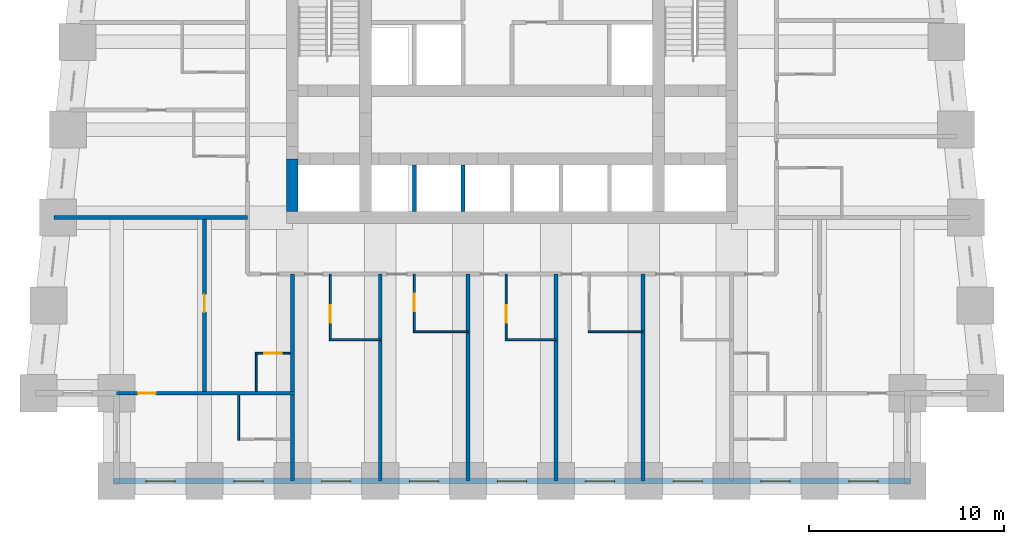
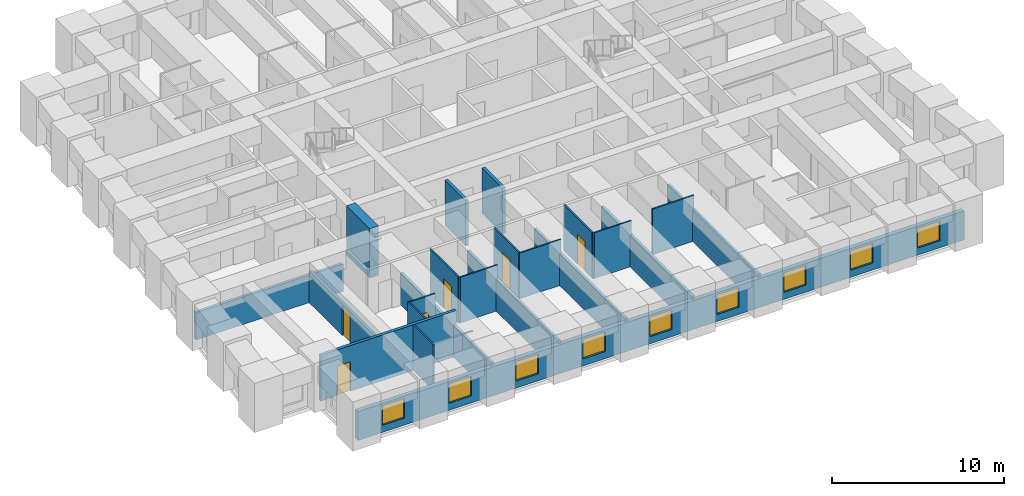
# One storey, part 2 of 8: 22 walls, 9 windows, 6 doors, 15 openings.
"""IFC4 building model written with IfcOpenShell, lengths in metres."""

from ifc_helpers import new_model, si_unit, direction, frame, frame_2d, origin, place, context, subcontext, project, spatial, rectangle, extrude, material, layer, layer_set, type_object, element, fill, save


model = new_model("IFC4")

# Units and contexts
model_context = context("Model", 3, precision=1e-05, world=origin(), true_north=direction((0.0, 1.0)))
body_context = subcontext(model_context, "Body", "Model", "MODEL_VIEW")
ifc_project = project(units=[si_unit("LENGTHUNIT", "METRE"), si_unit("AREAUNIT", "SQUARE_METRE"), si_unit("VOLUMEUNIT", "CUBIC_METRE"), si_unit("PLANEANGLEUNIT", "RADIAN"), si_unit("MASSUNIT", "GRAM", prefix="KILO")], contexts=[model_context])

# Site, building, storey
site_placement = place(None, origin())
site = spatial("IfcSite", under=ifc_project, at=site_placement, CompositionType="ELEMENT")
building_placement = place(site_placement, origin())
building = spatial("IfcBuilding", under=site, at=building_placement, Name="Kilele Tower Hotel", CompositionType="ELEMENT")
storey_placement = place(building_placement, frame((0.0, 0.0, 78.699951171875)))
storey = spatial("IfcBuildingStorey", under=building, at=storey_placement, Name="L19", CompositionType="ELEMENT", Elevation=78.699951171875)

# Wall
ifc_material_1 = material(Name="Moisture-resistant board")
ifc_layer_1 = layer(ifc_material_1, 0.10009765625)
ifc_layer_set_1 = layer_set([ifc_layer_1], Name="Moisture-resistant board")
wall_type_1 = type_object("IfcWallType", Name="Bathroom partition 100", PredefinedType="PLUMBINGWALL", material=ifc_layer_set_1)
wall_1_placement = place(storey_placement, frame((15.39990234375, 7.25, 0.0), z_axis=(0.0, 0.0, 1.0), x_axis=(1.0, 0.0, 0.0)))
element("IfcWall", 1, at=wall_1_placement, inside=storey, type_object=wall_type_1, Name="Bathroom partition 100 L19", PredefinedType="PLUMBINGWALL", context=body_context, shape_type="SweptSolid", body=[
    extrude(rectangle(XDim=2.60009765625, YDim=0.10009765625, at=frame_2d((1.300048828125, 0.0))), origin(), (0.0, 0.0, 1.0), 3.25),
])

# Wall, opening, door
wall_2_placement = place(storey_placement, frame((15.449951171875, 10.60009765625, 0.0), z_axis=(0.0, 0.0, 1.0), x_axis=(0.0, -1.0, 0.0)))
wall_2 = element("IfcWall", 2, at=wall_2_placement, inside=storey, type_object=wall_type_1, Name="Bathroom partition 100 L19", PredefinedType="PLUMBINGWALL", context=body_context, shape_type="SweptSolid", body=[
    extrude(rectangle(XDim=3.400146484375, YDim=0.10009765625, at=frame_2d((1.7001953125, 0.0))), origin(), (0.0, 0.0, 1.0), 3.25),
])
opening_1_placement = place(wall_2_placement, frame((2.5, 0.0, 0.0), z_axis=(0.0, 0.0, 1.0), x_axis=(-1.0, 0.0, 0.0)))
opening_1 = element("IfcOpeningElement", 3, at=opening_1_placement, cuts=wall_2, Name="Opening D2A", PredefinedType="OPENING", context=body_context, shape_type="SweptSolid", body=[
    extrude(rectangle(XDim=0.89990234375, YDim=2.10009765625, at=frame_2d((0.449951171875, 1.050048828125))), frame((0.0, 0.06005859375, 0.0), z_axis=(0.0, -1.0, 0.0), x_axis=(1.0, 0.0, 0.0)), (0.0, 0.0, 1.0), 0.1201171875),
])
ifc_material_2 = material(Name="Timber door leaf in hardwood frame", Category="wood")
door_type_1 = type_object("IfcDoorType", Name="Bathroom door 900", OperationType="SINGLE_SWING_LEFT", PredefinedType="DOOR", material=ifc_material_2)
door_1_placement = place(opening_1_placement, origin())
door_1 = element("IfcDoor", 4, at=door_1_placement, inside=storey, type_object=door_type_1, Name="Bathroom door 1901B", OperationType="SINGLE_SWING_LEFT", OverallHeight=2.10009765625, OverallWidth=0.89990234375, PredefinedType="DOOR", context=body_context, shape_type="SweptSolid", body=[
    extrude(rectangle(XDim=0.89990234375, YDim=2.10009765625, at=frame_2d((0.449951171875, 1.050048828125))), frame((0.0, 0.02490234375, 0.0), z_axis=(0.0, -1.0, 0.0), x_axis=(1.0, 0.0, 0.0)), (0.0, 0.0, 1.0), 0.050048828125),
])
fill(opening_1, door_1)

# Wall
wall_3_placement = place(storey_placement, frame((19.699951171875, 7.64990234375, 0.0), z_axis=(0.0, 0.0, 1.0), x_axis=(1.0, 0.0, 0.0)))
element("IfcWall", 5, at=wall_3_placement, inside=storey, type_object=wall_type_1, Name="Bathroom partition 100 L19", PredefinedType="PLUMBINGWALL", context=body_context, shape_type="SweptSolid", body=[
    extrude(rectangle(XDim=2.800048828125, YDim=0.10009765625, at=frame_2d((1.39990234375, 0.0))), origin(), (0.0, 0.0, 1.0), 3.25),
])

# Wall, opening, door
wall_4_placement = place(storey_placement, frame((19.75, 10.60009765625, 0.0), z_axis=(0.0, 0.0, 1.0), x_axis=(0.0, -1.0, 0.0)))
wall_4 = element("IfcWall", 6, at=wall_4_placement, inside=storey, type_object=wall_type_1, Name="Bathroom partition 100 L19", PredefinedType="PLUMBINGWALL", context=body_context, shape_type="SweptSolid", body=[
    extrude(rectangle(XDim=3.0, YDim=0.10009765625, at=frame_2d((1.5, 0.0))), origin(), (0.0, 0.0, 1.0), 3.25),
])
opening_2_placement = place(wall_4_placement, frame((1.89990234375, 0.0, 0.0), z_axis=(0.0, 0.0, 1.0), x_axis=(-1.0, 0.0, 0.0)))
opening_2 = element("IfcOpeningElement", 7, at=opening_2_placement, cuts=wall_4, Name="Opening D2A", PredefinedType="OPENING", context=body_context, shape_type="SweptSolid", body=[
    extrude(rectangle(XDim=0.89990234375, YDim=2.10009765625, at=frame_2d((0.449951171875, 1.050048828125))), frame((0.0, 0.06005859375, 0.0), z_axis=(0.0, -1.0, 0.0), x_axis=(1.0, 0.0, 0.0)), (0.0, 0.0, 1.0), 0.1201171875),
])
door_2_placement = place(opening_2_placement, origin())
door_2 = element("IfcDoor", 8, at=door_2_placement, inside=storey, type_object=door_type_1, Name="Bathroom door 1902B", OperationType="SINGLE_SWING_RIGHT", OverallHeight=2.10009765625, OverallWidth=0.89990234375, PredefinedType="DOOR", context=body_context, shape_type="SweptSolid", body=[
    extrude(rectangle(XDim=0.89990234375, YDim=2.10009765625, at=frame_2d((0.449951171875, 1.050048828125))), frame((0.0, 0.02490234375, 0.0), z_axis=(0.0, -1.0, 0.0), x_axis=(1.0, 0.0, 0.0)), (0.0, 0.0, 1.0), 0.050048828125),
])
fill(opening_2, door_2)

# Wall
wall_5_placement = place(storey_placement, frame((24.39990234375, 7.25, 0.0), z_axis=(0.0, 0.0, 1.0), x_axis=(1.0, 0.0, 0.0)))
element("IfcWall", 9, at=wall_5_placement, inside=storey, type_object=wall_type_1, Name="Bathroom partition 100 L19", PredefinedType="PLUMBINGWALL", context=body_context, shape_type="SweptSolid", body=[
    extrude(rectangle(XDim=2.60009765625, YDim=0.10009765625, at=frame_2d((1.300048828125, 0.0))), origin(), (0.0, 0.0, 1.0), 3.25),
])

# Wall, opening, door
wall_6_placement = place(storey_placement, frame((24.449951171875, 10.60009765625, 0.0), z_axis=(0.0, 0.0, 1.0), x_axis=(0.0, -1.0, 0.0)))
wall_6 = element("IfcWall", 10, at=wall_6_placement, inside=storey, type_object=wall_type_1, Name="Bathroom partition 100 L19", PredefinedType="PLUMBINGWALL", context=body_context, shape_type="SweptSolid", body=[
    extrude(rectangle(XDim=3.400146484375, YDim=0.10009765625, at=frame_2d((1.7001953125, 0.0))), origin(), (0.0, 0.0, 1.0), 3.25),
])
opening_3_placement = place(wall_6_placement, frame((2.5, 0.0, 0.0), z_axis=(0.0, 0.0, 1.0), x_axis=(-1.0, 0.0, 0.0)))
opening_3 = element("IfcOpeningElement", 11, at=opening_3_placement, cuts=wall_6, Name="Opening D2A", PredefinedType="OPENING", context=body_context, shape_type="SweptSolid", body=[
    extrude(rectangle(XDim=0.89990234375, YDim=2.10009765625, at=frame_2d((0.449951171875, 1.050048828125))), frame((0.0, 0.06005859375, 0.0), z_axis=(0.0, -1.0, 0.0), x_axis=(1.0, 0.0, 0.0)), (0.0, 0.0, 1.0), 0.1201171875),
])
door_3_placement = place(opening_3_placement, origin())
door_3 = element("IfcDoor", 12, at=door_3_placement, inside=storey, type_object=door_type_1, Name="Bathroom door 1903B", OperationType="SINGLE_SWING_LEFT", OverallHeight=2.10009765625, OverallWidth=0.89990234375, PredefinedType="DOOR", context=body_context, shape_type="SweptSolid", body=[
    extrude(rectangle(XDim=0.89990234375, YDim=2.10009765625, at=frame_2d((0.449951171875, 1.050048828125))), frame((0.0, 0.02490234375, 0.0), z_axis=(0.0, -1.0, 0.0), x_axis=(1.0, 0.0, 0.0)), (0.0, 0.0, 1.0), 0.050048828125),
])
fill(opening_3, door_3)

# Walls
wall_7_placement = place(storey_placement, frame((28.64990234375, 7.64990234375, 0.0), z_axis=(0.0, 0.0, 1.0), x_axis=(1.0, 0.0, 0.0)))
element("IfcWall", 13, at=wall_7_placement, inside=storey, type_object=wall_type_1, Name="Bathroom partition 100 L19", PredefinedType="PLUMBINGWALL", context=body_context, shape_type="SweptSolid", body=[
    extrude(rectangle(XDim=2.800048828125, YDim=0.10009765625, at=frame_2d((1.39990234375, 0.0))), origin(), (0.0, 0.0, 1.0), 3.25),
])
wall_8_placement = place(storey_placement, frame((11.64990234375, 4.60009765625, 0.0), z_axis=(0.0, 0.0, 1.0), x_axis=(0.0, 1.0, 0.0)))
element("IfcWall", 14, at=wall_8_placement, inside=storey, type_object=wall_type_1, Name="Bathroom partition 100 L19", PredefinedType="PLUMBINGWALL", context=body_context, shape_type="SweptSolid", body=[
    extrude(rectangle(XDim=2.0, YDim=0.10009765625, at=frame_2d((1.0, 0.0))), origin(), (0.0, 0.0, 1.0), 3.25),
])

# Wall, opening, door
wall_9_placement = place(storey_placement, frame((13.39990234375, 6.550048828125, 0.0), z_axis=(0.0, 0.0, 1.0), x_axis=(-1.0, 0.0, 0.0)))
wall_9 = element("IfcWall", 15, at=wall_9_placement, inside=storey, type_object=wall_type_1, Name="Bathroom partition 100 L19", PredefinedType="PLUMBINGWALL", context=body_context, shape_type="SweptSolid", body=[
    extrude(rectangle(XDim=1.7998046875, YDim=0.10009765625, at=frame_2d((0.89990234375, 0.0))), origin(), (0.0, 0.0, 1.0), 3.25),
])
opening_4_placement = place(wall_9_placement, frame((1.349853515625, 0.0, 0.0), z_axis=(0.0, 0.0, 1.0), x_axis=(-1.0, 0.0, 0.0)))
opening_4 = element("IfcOpeningElement", 16, at=opening_4_placement, cuts=wall_9, Name="Opening D2A", PredefinedType="OPENING", context=body_context, shape_type="SweptSolid", body=[
    extrude(rectangle(XDim=0.89990234375, YDim=2.10009765625, at=frame_2d((0.449951171875, 1.050048828125))), frame((0.0, 0.06005859375, 0.0), z_axis=(0.0, -1.0, 0.0), x_axis=(1.0, 0.0, 0.0)), (0.0, 0.0, 1.0), 0.1201171875),
])
door_4_placement = place(opening_4_placement, origin())
door_4 = element("IfcDoor", 17, at=door_4_placement, inside=storey, type_object=door_type_1, Name="Bathroom door 1917P", OperationType="SINGLE_SWING_RIGHT", OverallHeight=2.10009765625, OverallWidth=0.89990234375, PredefinedType="DOOR", context=body_context, shape_type="SweptSolid", body=[
    extrude(rectangle(XDim=0.89990234375, YDim=2.10009765625, at=frame_2d((0.449951171875, 1.050048828125))), frame((0.0, 0.02490234375, 0.0), z_axis=(0.0, -1.0, 0.0), x_axis=(1.0, 0.0, 0.0)), (0.0, 0.0, 1.0), 0.050048828125),
])
fill(opening_4, door_4)

# Walls
wall_10_placement = place(storey_placement, frame((10.75, 4.39990234375, 0.0), z_axis=(0.0, 0.0, 1.0), x_axis=(0.0, -1.0, 0.0)))
element("IfcWall", 18, at=wall_10_placement, inside=storey, type_object=wall_type_1, Name="Bathroom partition 100 L19", PredefinedType="PLUMBINGWALL", context=body_context, shape_type="SweptSolid", body=[
    extrude(rectangle(XDim=2.2998046875, YDim=0.10009765625, at=frame_2d((1.14990234375, 0.0))), origin(), (0.0, 0.0, 1.0), 3.25),
])
ifc_material_3 = material(Name="Concrete C60/75", Category="concrete")
ifc_layer_2 = layer(ifc_material_3, 0.60009765625)
ifc_layer_set_2 = layer_set([ifc_layer_2], Name="Concrete C60/75")
wall_type_2 = type_object("IfcWallType", Name="Core wall 600 C60/75", PredefinedType="SHEAR", material=ifc_layer_set_2)
wall_11_placement = place(storey_placement, frame((13.5, 16.5, 0.0), z_axis=(0.0, 0.0, 1.0), x_axis=(0.0, -1.0, 0.0)))
element("IfcWall", 19, at=wall_11_placement, inside=storey, type_object=wall_type_2, Name="Core wall W3 L19", PredefinedType="SHEAR", context=body_context, shape_type="SweptSolid", body=[
    extrude(rectangle(XDim=2.699951171875, YDim=0.60009765625, at=frame_2d((1.35009765625, 0.0))), origin(), (0.0, 0.0, 1.0), 3.5),
])

# Wall, opening, door
ifc_material_4 = material(Name="Blockwork, plastered both sides", Category="masonry")
ifc_layer_3 = layer(ifc_material_4, 0.199951171875)
ifc_layer_set_3 = layer_set([ifc_layer_3], Name="Blockwork, plastered both sides")
wall_type_3 = type_object("IfcWallType", Name="Partition wall 200", PredefinedType="PARTITIONING", material=ifc_layer_set_3)
wall_12_placement = place(storey_placement, frame((9.0, 4.60009765625, 0.0), z_axis=(0.0, 0.0, 1.0), x_axis=(0.0, 1.0, 0.0)))
wall_12 = element("IfcWall", 20, at=wall_12_placement, inside=storey, type_object=wall_type_3, Name="Partition wall 200 L19", PredefinedType="PARTITIONING", context=body_context, shape_type="SweptSolid", body=[
    extrude(rectangle(XDim=8.7998046875, YDim=0.199951171875, at=frame_2d((4.39990234375, 0.0))), origin(), (0.0, 0.0, 1.0), 2.25),
])
opening_5_placement = place(wall_12_placement, frame((4.050048828125, 0.0, 0.0)))
opening_5 = element("IfcOpeningElement", 21, at=opening_5_placement, cuts=wall_12, Name="Opening D3", PredefinedType="OPENING", context=body_context, shape_type="SweptSolid", body=[
    extrude(rectangle(XDim=0.89990234375, YDim=2.10009765625, at=frame_2d((0.449951171875, 1.050048828125))), frame((0.0, 0.10986328125, 0.0), z_axis=(0.0, -1.0, 0.0), x_axis=(1.0, 0.0, 0.0)), (0.0, 0.0, 1.0), 0.219970703125),
])
ifc_material_5 = material(Name="Timber door leaf in hardwood frame", Category="wood")
door_type_2 = type_object("IfcDoorType", Name="Suite internal door 900", OperationType="SINGLE_SWING_LEFT", PredefinedType="DOOR", material=ifc_material_5)
door_5_placement = place(opening_5_placement, origin())
door_5 = element("IfcDoor", 22, at=door_5_placement, inside=storey, type_object=door_type_2, Name="Suite door 1918", OperationType="SINGLE_SWING_RIGHT", OverallHeight=2.10009765625, OverallWidth=0.89990234375, PredefinedType="DOOR", context=body_context, shape_type="SweptSolid", body=[
    extrude(rectangle(XDim=0.89990234375, YDim=2.10009765625, at=frame_2d((0.449951171875, 1.050048828125))), frame((0.0, 0.02490234375, 0.0), z_axis=(0.0, -1.0, 0.0), x_axis=(1.0, 0.0, 0.0)), (0.0, 0.0, 1.0), 0.050048828125),
])
fill(opening_5, door_5)

# Walls
ifc_material_6 = material(Name="Blockwork, plastered both sides", Category="masonry")
ifc_layer_4 = layer(ifc_material_6, 0.199951171875)
ifc_layer_set_4 = layer_set([ifc_layer_4], Name="Blockwork, plastered both sides")
wall_type_4 = type_object("IfcWallType", Name="Party wall 200", PredefinedType="PARTITIONING", material=ifc_layer_set_4)
for number, where, z_axis, x_axis, name in (
    (23, (18.0, 10.60009765625, 0.0), (0.0, 0.0, 1.0), (0.0, -1.0, 0.0), "Party wall 200 L19"),
    (24, (22.5, 10.60009765625, 0.0), (0.0, 0.0, 1.0), (0.0, -1.0, 0.0), "Party wall 200 L19"),
    (25, (27.0, 10.60009765625, 0.0), (0.0, 0.0, 1.0), (0.0, -1.0, 0.0), "Party wall 200 L19"),
    (26, (31.449951171875, 10.60009765625, 0.0), (0.0, 0.0, 1.0), (0.0, -1.0, 0.0), "Party wall 200 L19"),
):
    element("IfcWall", number, at=place(storey_placement, frame(where, z_axis=z_axis, x_axis=x_axis)), inside=storey, type_object=wall_type_4, Name=name, PredefinedType="PARTITIONING", context=body_context, shape_type="SweptSolid", body=[
        extrude(rectangle(XDim=10.60009765625, YDim=0.199951171875, at=frame_2d((5.300048828125, 0.0))), origin(), (0.0, 0.0, 1.0), 2.25),
    ])
wall_13_placement = place(storey_placement, frame((11.199951171875, 13.5, 0.0), z_axis=(0.0, 0.0, 1.0), x_axis=(-1.0, 0.0, 0.0)))
element("IfcWall", 27, at=wall_13_placement, inside=storey, type_object=wall_type_4, Name="Party wall 200 L19", PredefinedType="PARTITIONING", context=body_context, shape_type="SweptSolid", body=[
    extrude(rectangle(XDim=9.921142578125, YDim=0.199951171875, at=frame_2d((4.96044921875, 0.0))), origin(), (0.0, 0.0, 1.0), 1.949951171875),
])
wall_14_placement = place(storey_placement, frame((13.5, 10.60009765625, 0.0), z_axis=(0.0, 0.0, 1.0), x_axis=(0.0, -1.0, 0.0)))
element("IfcWall", 28, at=wall_14_placement, inside=storey, type_object=wall_type_4, Name="Party wall 200 L19", PredefinedType="PARTITIONING", context=body_context, shape_type="SweptSolid", body=[
    extrude(rectangle(XDim=10.60009765625, YDim=0.199951171875, at=frame_2d((5.300048828125, 0.0))), origin(), (0.0, 0.0, 1.0), 2.25),
])

# Wall, opening, door
wall_15_placement = place(storey_placement, frame((13.60009765625, 4.5, 0.0), z_axis=(0.0, 0.0, 1.0), x_axis=(-1.0, 0.0, 0.0)))
wall_15 = element("IfcWall", 29, at=wall_15_placement, inside=storey, type_object=wall_type_4, Name="Party wall 200 L19", PredefinedType="PARTITIONING", context=body_context, shape_type="SweptSolid", body=[
    extrude(rectangle(XDim=9.10009765625, YDim=0.199951171875, at=frame_2d((4.550048828125, 0.0))), origin(), (0.0, 0.0, 1.0), 3.25),
])
opening_6_placement = place(wall_15_placement, frame((7.10009765625, 0.0, 0.0)))
opening_6 = element("IfcOpeningElement", 30, at=opening_6_placement, cuts=wall_15, Name="Opening D3", PredefinedType="OPENING", context=body_context, shape_type="SweptSolid", body=[
    extrude(rectangle(XDim=0.89990234375, YDim=2.10009765625, at=frame_2d((0.449951171875, 1.050048828125))), frame((0.0, 0.10986328125, 0.0), z_axis=(0.0, -1.0, 0.0), x_axis=(1.0, 0.0, 0.0)), (0.0, 0.0, 1.0), 0.219970703125),
])
door_6_placement = place(opening_6_placement, origin())
door_6 = element("IfcDoor", 31, at=door_6_placement, inside=storey, type_object=door_type_2, Name="Suite door 1919", OperationType="SINGLE_SWING_RIGHT", OverallHeight=2.10009765625, OverallWidth=0.89990234375, PredefinedType="DOOR", context=body_context, shape_type="SweptSolid", body=[
    extrude(rectangle(XDim=0.89990234375, YDim=2.10009765625, at=frame_2d((0.449951171875, 1.050048828125))), frame((0.0, 0.02490234375, 0.0), z_axis=(0.0, -1.0, 0.0), x_axis=(1.0, 0.0, 0.0)), (0.0, 0.0, 1.0), 0.050048828125),
])
fill(opening_6, door_6)

# Wall, openings, windows
ifc_material_7 = material(Name="Concrete C40/50 precast", Category="concrete")
ifc_layer_5 = layer(ifc_material_7, 0.260009765625, Name="Precast backing", Category="LoadBearing")
ifc_material_8 = material(Name="Reconstituted stone finish", Category="masonry")
ifc_layer_6 = layer(ifc_material_8, 0.0400390625, Name="Face mix", Category="Finish")
ifc_layer_set_5 = layer_set([ifc_layer_5, ifc_layer_6], Name="Precast concrete C40/50, reconstituted stone finish")
wall_type_5 = type_object("IfcWallType", Name="Precast stone facade wall 300", PredefinedType="STANDARD", material=ifc_layer_set_5)
wall_16_placement = place(storey_placement, frame((4.35009765625, 0.0, 0.0), z_axis=(0.0, 0.0, 1.0), x_axis=(1.0, 0.0, 0.0)))
wall_16 = element("IfcWall", 32, at=wall_16_placement, inside=storey, type_object=wall_type_5, Name="Facade wall L19 edge 3", PredefinedType="STANDARD", context=body_context, shape_type="SweptSolid", body=[
    extrude(rectangle(XDim=40.7998046875, YDim=0.300048828125, at=frame_2d((20.39990234375, 0.0))), origin(), (0.0, 0.0, 1.0), 2.050048828125),
])
opening_7_placement = place(wall_16_placement, frame((1.64990234375, 0.0, 0.5)))
opening_7 = element("IfcOpeningElement", 33, at=opening_7_placement, cuts=wall_16, Name="Opening W1", PredefinedType="OPENING", context=body_context, shape_type="SweptSolid", body=[
    extrude(rectangle(XDim=1.5, YDim=1.39990234375, at=frame_2d((0.75, 0.699951171875))), frame((0.0, 0.159912109375, 0.0), z_axis=(0.0, -1.0, 0.0), x_axis=(1.0, 0.0, 0.0)), (0.0, 0.0, 1.0), 0.320068359375),
])
opening_8_placement = place(wall_16_placement, frame((6.14990234375, 0.0, 0.5)))
opening_8 = element("IfcOpeningElement", 34, at=opening_8_placement, cuts=wall_16, Name="Opening W1", PredefinedType="OPENING", context=body_context, shape_type="SweptSolid", body=[
    extrude(rectangle(XDim=1.5, YDim=1.39990234375, at=frame_2d((0.75, 0.699951171875))), frame((0.0, 0.159912109375, 0.0), z_axis=(0.0, -1.0, 0.0), x_axis=(1.0, 0.0, 0.0)), (0.0, 0.0, 1.0), 0.320068359375),
])
opening_9_placement = place(wall_16_placement, frame((10.64990234375, 0.0, 0.5)))
opening_9 = element("IfcOpeningElement", 35, at=opening_9_placement, cuts=wall_16, Name="Opening W1", PredefinedType="OPENING", context=body_context, shape_type="SweptSolid", body=[
    extrude(rectangle(XDim=1.5, YDim=1.39990234375, at=frame_2d((0.75, 0.699951171875))), frame((0.0, 0.159912109375, 0.0), z_axis=(0.0, -1.0, 0.0), x_axis=(1.0, 0.0, 0.0)), (0.0, 0.0, 1.0), 0.320068359375),
])
opening_10_placement = place(wall_16_placement, frame((15.14990234375, 0.0, 0.5)))
opening_10 = element("IfcOpeningElement", 36, at=opening_10_placement, cuts=wall_16, Name="Opening W1", PredefinedType="OPENING", context=body_context, shape_type="SweptSolid", body=[
    extrude(rectangle(XDim=1.5, YDim=1.39990234375, at=frame_2d((0.75, 0.699951171875))), frame((0.0, 0.159912109375, 0.0), z_axis=(0.0, -1.0, 0.0), x_axis=(1.0, 0.0, 0.0)), (0.0, 0.0, 1.0), 0.320068359375),
])
opening_11_placement = place(wall_16_placement, frame((19.64990234375, 0.0, 0.5)))
opening_11 = element("IfcOpeningElement", 37, at=opening_11_placement, cuts=wall_16, Name="Opening W1", PredefinedType="OPENING", context=body_context, shape_type="SweptSolid", body=[
    extrude(rectangle(XDim=1.5, YDim=1.39990234375, at=frame_2d((0.75, 0.699951171875))), frame((0.0, 0.159912109375, 0.0), z_axis=(0.0, -1.0, 0.0), x_axis=(1.0, 0.0, 0.0)), (0.0, 0.0, 1.0), 0.320068359375),
])
opening_12_placement = place(wall_16_placement, frame((24.14990234375, 0.0, 0.5)))
opening_12 = element("IfcOpeningElement", 38, at=opening_12_placement, cuts=wall_16, Name="Opening W1", PredefinedType="OPENING", context=body_context, shape_type="SweptSolid", body=[
    extrude(rectangle(XDim=1.5, YDim=1.39990234375, at=frame_2d((0.75, 0.699951171875))), frame((0.0, 0.159912109375, 0.0), z_axis=(0.0, -1.0, 0.0), x_axis=(1.0, 0.0, 0.0)), (0.0, 0.0, 1.0), 0.320068359375),
])
opening_13_placement = place(wall_16_placement, frame((28.64990234375, 0.0, 0.5)))
opening_13 = element("IfcOpeningElement", 39, at=opening_13_placement, cuts=wall_16, Name="Opening W1", PredefinedType="OPENING", context=body_context, shape_type="SweptSolid", body=[
    extrude(rectangle(XDim=1.5, YDim=1.39990234375, at=frame_2d((0.75, 0.699951171875))), frame((0.0, 0.159912109375, 0.0), z_axis=(0.0, -1.0, 0.0), x_axis=(1.0, 0.0, 0.0)), (0.0, 0.0, 1.0), 0.320068359375),
])
opening_14_placement = place(wall_16_placement, frame((33.14990234375, 0.0, 0.5)))
opening_14 = element("IfcOpeningElement", 40, at=opening_14_placement, cuts=wall_16, Name="Opening W1", PredefinedType="OPENING", context=body_context, shape_type="SweptSolid", body=[
    extrude(rectangle(XDim=1.5, YDim=1.39990234375, at=frame_2d((0.75, 0.699951171875))), frame((0.0, 0.159912109375, 0.0), z_axis=(0.0, -1.0, 0.0), x_axis=(1.0, 0.0, 0.0)), (0.0, 0.0, 1.0), 0.320068359375),
])
opening_15_placement = place(wall_16_placement, frame((37.64990234375, 0.0, 0.5)))
opening_15 = element("IfcOpeningElement", 41, at=opening_15_placement, cuts=wall_16, Name="Opening W1", PredefinedType="OPENING", context=body_context, shape_type="SweptSolid", body=[
    extrude(rectangle(XDim=1.5, YDim=1.39990234375, at=frame_2d((0.75, 0.699951171875))), frame((0.0, 0.159912109375, 0.0), z_axis=(0.0, -1.0, 0.0), x_axis=(1.0, 0.0, 0.0)), (0.0, 0.0, 1.0), 0.320068359375),
])
ifc_material_9 = material(Name="Aluminium frame, clear double glazing", Category="aluminium")
window_type = type_object("IfcWindowType", Name="Window W1 1500 x 1400", PartitioningType="SINGLE_PANEL", PredefinedType="WINDOW", material=ifc_material_9)
window_1_placement = place(opening_7_placement, origin())
window_1 = element("IfcWindow", 42, at=window_1_placement, inside=storey, type_object=window_type, Name="Window L19", OverallHeight=1.39990234375, OverallWidth=1.5, PartitioningType="SINGLE_PANEL", PredefinedType="WINDOW", context=body_context, shape_type="SweptSolid", body=[
    extrude(rectangle(XDim=1.5, YDim=1.39990234375, at=frame_2d((0.75, 0.699951171875))), frame((0.0, 0.030029296875, 0.0), z_axis=(0.0, -1.0, 0.0), x_axis=(1.0, 0.0, 0.0)), (0.0, 0.0, 1.0), 0.06005859375),
])
fill(opening_7, window_1)
window_2_placement = place(opening_8_placement, origin())
window_2 = element("IfcWindow", 43, at=window_2_placement, inside=storey, type_object=window_type, Name="Window L19", OverallHeight=1.39990234375, OverallWidth=1.5, PartitioningType="SINGLE_PANEL", PredefinedType="WINDOW", context=body_context, shape_type="SweptSolid", body=[
    extrude(rectangle(XDim=1.5, YDim=1.39990234375, at=frame_2d((0.75, 0.699951171875))), frame((0.0, 0.030029296875, 0.0), z_axis=(0.0, -1.0, 0.0), x_axis=(1.0, 0.0, 0.0)), (0.0, 0.0, 1.0), 0.06005859375),
])
fill(opening_8, window_2)
window_3_placement = place(opening_9_placement, origin())
window_3 = element("IfcWindow", 44, at=window_3_placement, inside=storey, type_object=window_type, Name="Window L19", OverallHeight=1.39990234375, OverallWidth=1.5, PartitioningType="SINGLE_PANEL", PredefinedType="WINDOW", context=body_context, shape_type="SweptSolid", body=[
    extrude(rectangle(XDim=1.5, YDim=1.39990234375, at=frame_2d((0.75, 0.699951171875))), frame((0.0, 0.030029296875, 0.0), z_axis=(0.0, -1.0, 0.0), x_axis=(1.0, 0.0, 0.0)), (0.0, 0.0, 1.0), 0.06005859375),
])
fill(opening_9, window_3)
window_4_placement = place(opening_10_placement, origin())
window_4 = element("IfcWindow", 45, at=window_4_placement, inside=storey, type_object=window_type, Name="Window L19", OverallHeight=1.39990234375, OverallWidth=1.5, PartitioningType="SINGLE_PANEL", PredefinedType="WINDOW", context=body_context, shape_type="SweptSolid", body=[
    extrude(rectangle(XDim=1.5, YDim=1.39990234375, at=frame_2d((0.75, 0.699951171875))), frame((0.0, 0.030029296875, 0.0), z_axis=(0.0, -1.0, 0.0), x_axis=(1.0, 0.0, 0.0)), (0.0, 0.0, 1.0), 0.06005859375),
])
fill(opening_10, window_4)
window_5_placement = place(opening_11_placement, origin())
window_5 = element("IfcWindow", 46, at=window_5_placement, inside=storey, type_object=window_type, Name="Window L19", OverallHeight=1.39990234375, OverallWidth=1.5, PartitioningType="SINGLE_PANEL", PredefinedType="WINDOW", context=body_context, shape_type="SweptSolid", body=[
    extrude(rectangle(XDim=1.5, YDim=1.39990234375, at=frame_2d((0.75, 0.699951171875))), frame((0.0, 0.030029296875, 0.0), z_axis=(0.0, -1.0, 0.0), x_axis=(1.0, 0.0, 0.0)), (0.0, 0.0, 1.0), 0.06005859375),
])
fill(opening_11, window_5)
window_6_placement = place(opening_12_placement, origin())
window_6 = element("IfcWindow", 47, at=window_6_placement, inside=storey, type_object=window_type, Name="Window L19", OverallHeight=1.39990234375, OverallWidth=1.5, PartitioningType="SINGLE_PANEL", PredefinedType="WINDOW", context=body_context, shape_type="SweptSolid", body=[
    extrude(rectangle(XDim=1.5, YDim=1.39990234375, at=frame_2d((0.75, 0.699951171875))), frame((0.0, 0.030029296875, 0.0), z_axis=(0.0, -1.0, 0.0), x_axis=(1.0, 0.0, 0.0)), (0.0, 0.0, 1.0), 0.06005859375),
])
fill(opening_12, window_6)
window_7_placement = place(opening_13_placement, origin())
window_7 = element("IfcWindow", 48, at=window_7_placement, inside=storey, type_object=window_type, Name="Window L19", OverallHeight=1.39990234375, OverallWidth=1.5, PartitioningType="SINGLE_PANEL", PredefinedType="WINDOW", context=body_context, shape_type="SweptSolid", body=[
    extrude(rectangle(XDim=1.5, YDim=1.39990234375, at=frame_2d((0.75, 0.699951171875))), frame((0.0, 0.030029296875, 0.0), z_axis=(0.0, -1.0, 0.0), x_axis=(1.0, 0.0, 0.0)), (0.0, 0.0, 1.0), 0.06005859375),
])
fill(opening_13, window_7)
window_8_placement = place(opening_14_placement, origin())
window_8 = element("IfcWindow", 49, at=window_8_placement, inside=storey, type_object=window_type, Name="Window L19", OverallHeight=1.39990234375, OverallWidth=1.5, PartitioningType="SINGLE_PANEL", PredefinedType="WINDOW", context=body_context, shape_type="SweptSolid", body=[
    extrude(rectangle(XDim=1.5, YDim=1.39990234375, at=frame_2d((0.75, 0.699951171875))), frame((0.0, 0.030029296875, 0.0), z_axis=(0.0, -1.0, 0.0), x_axis=(1.0, 0.0, 0.0)), (0.0, 0.0, 1.0), 0.06005859375),
])
fill(opening_14, window_8)
window_9_placement = place(opening_15_placement, origin())
window_9 = element("IfcWindow", 50, at=window_9_placement, inside=storey, type_object=window_type, Name="Window L19", OverallHeight=1.39990234375, OverallWidth=1.5, PartitioningType="SINGLE_PANEL", PredefinedType="WINDOW", context=body_context, shape_type="SweptSolid", body=[
    extrude(rectangle(XDim=1.5, YDim=1.39990234375, at=frame_2d((0.75, 0.699951171875))), frame((0.0, 0.030029296875, 0.0), z_axis=(0.0, -1.0, 0.0), x_axis=(1.0, 0.0, 0.0)), (0.0, 0.0, 1.0), 0.06005859375),
])
fill(opening_15, window_9)

# Walls
ifc_material_10 = material(Name="Blockwork, fire-rated", Category="masonry")
ifc_layer_7 = layer(ifc_material_10, 0.199951171875)
ifc_layer_set_6 = layer_set([ifc_layer_7], Name="Blockwork, fire-rated")
wall_type_6 = type_object("IfcWallType", Name="Shaft wall 200", PredefinedType="PARTITIONING", material=ifc_layer_set_6)
for number, where, z_axis, x_axis, name in (
    (51, (19.75, 13.800048828125, 0.0), (0.0, 0.0, 1.0), (0.0, 1.0, 0.0), "Shaft wall 200 L19"),
    (52, (22.25, 13.800048828125, 0.0), (0.0, 0.0, 1.0), (0.0, 1.0, 0.0), "Shaft wall 200 L19"),
):
    element("IfcWall", number, at=place(storey_placement, frame(where, z_axis=z_axis, x_axis=x_axis)), inside=storey, type_object=wall_type_6, Name=name, PredefinedType="PARTITIONING", context=body_context, shape_type="SweptSolid", body=[
        extrude(rectangle(XDim=2.39990234375, YDim=0.199951171875, at=frame_2d((1.199951171875, 0.0))), origin(), (0.0, 0.0, 1.0), 3.25),
    ])

save(model, "model.ifc")
